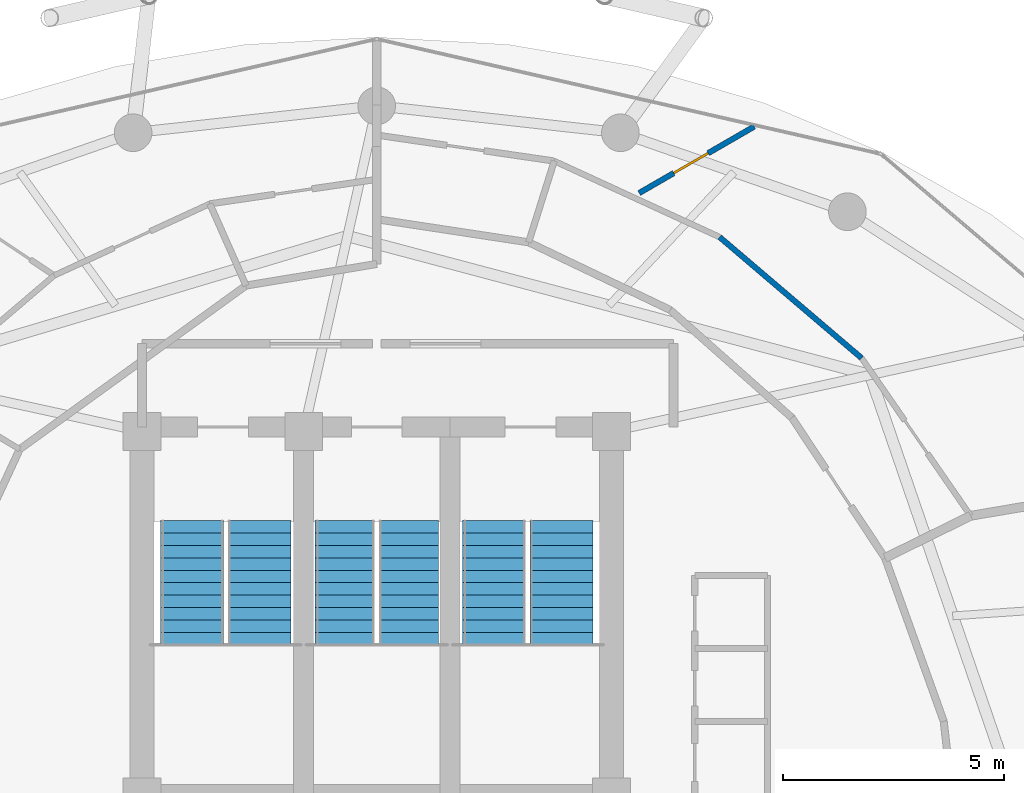
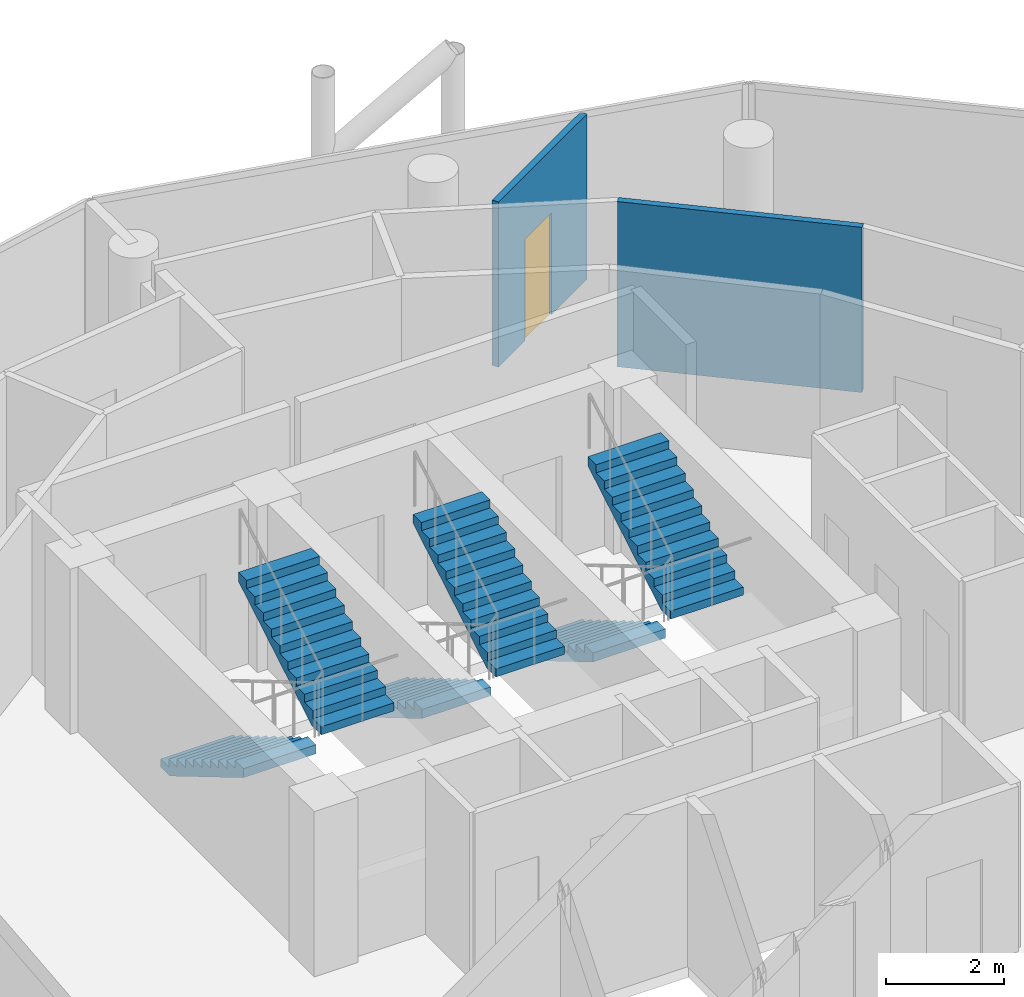
# One storey, part 26 of 27: 6 stair flights, 2 walls, 1 door, 1 opening, 3 elements without a shape of their own.
"""IFC4 building model written with IfcOpenShell, lengths in metres."""

from ifc_helpers import new_model, si_unit, direction, frame, frame_2d, origin, place, context, subcontext, project, spatial, polyline, rectangle, outline, extrude, material, layer, layer_set, type_object, element, fill, aggregate, save


model = new_model("IFC4")

# Units and contexts
model_context = context("Model", 3, precision=1e-05, world=origin(), true_north=direction((0.0, 1.0)))
body_context = subcontext(model_context, "Body", "Model", "MODEL_VIEW")
ifc_project = project(units=[si_unit("LENGTHUNIT", "METRE"), si_unit("AREAUNIT", "SQUARE_METRE"), si_unit("VOLUMEUNIT", "CUBIC_METRE"), si_unit("PLANEANGLEUNIT", "RADIAN"), si_unit("MASSUNIT", "GRAM", prefix="KILO")], contexts=[model_context])

# Site, building, storey
site_placement = place(None, origin())
site = spatial("IfcSite", under=ifc_project, at=site_placement, CompositionType="ELEMENT")
building_placement = place(site_placement, origin())
building = spatial("IfcBuilding", under=site, at=building_placement, Name="Nuhasar Tower", CompositionType="ELEMENT")
storey_placement = place(building_placement, frame((0.0, 0.0, 233.699951171875)))
storey = spatial("IfcBuildingStorey", under=building, at=storey_placement, Name="L57", CompositionType="ELEMENT", Elevation=233.699951171875)

# Wall
ifc_material_1 = material(Name="Gypsum Board", Category="gypsum")
ifc_layer = layer(ifc_material_1, 0.125)
ifc_layer_set = layer_set([ifc_layer], Name="Gypsum Board")
wall_type = type_object("IfcWallType", Name="WL-PART-125", PredefinedType="PARTITIONING", material=ifc_layer_set)
wall_1_placement = place(storey_placement, frame((49.946044921875, 38.955078125, 0.0), z_axis=(0.0, 0.0, 1.0), x_axis=(-0.761143609707, 0.648583383538, 0.0)))
element("IfcWall", 1, at=wall_1_placement, inside=storey, type_object=wall_type, Name="L57 Interior Partition UMID-03-A-06", PredefinedType="PARTITIONING", context=body_context, shape_type="SweptSolid", body=[
    extrude(rectangle(XDim=4.212158203125, YDim=0.125, at=frame_2d((2.10595703125, 0.0))), origin(), (0.0, 0.0, 1.0), 3.41015625),
])

# Wall, opening, door
wall_2_placement = place(storey_placement, frame((44.924072265625, 42.680908203125, 0.0), z_axis=(0.0, 0.0, 1.0), x_axis=(0.865693518227, 0.500574402561, 0.0)))
wall_2 = element("IfcWall", 2, at=wall_2_placement, inside=storey, type_object=wall_type, Name="L57 Interior Partition UOUT-03-B1", PredefinedType="PARTITIONING", context=body_context, shape_type="SweptSolid", body=[
    extrude(rectangle(XDim=3.0009765625, YDim=0.125, at=frame_2d((1.50048828125, 0.0))), origin(), (0.0, 0.0, 1.0), 3.41015625),
])
opening_placement = place(wall_2_placement, frame((0.89990234375, 0.0, 0.0)))
opening = element("IfcOpeningElement", 3, at=opening_placement, cuts=wall_2, Name="Opening DR-01", PredefinedType="OPENING", context=body_context, shape_type="SweptSolid", body=[
    extrude(rectangle(XDim=0.89990234375, YDim=2.10009765625, at=frame_2d((0.449951171875, 1.050048828125))), frame((0.0, 0.072509765625, 0.0), z_axis=(0.0, -1.0, 0.0), x_axis=(1.0, 0.0, 0.0)), (0.0, 0.0, 1.0), 0.14501953125),
])
ifc_material_2 = material(Name="Timber Oak", Category="wood")
door_type = type_object("IfcDoorType", Name="DR-ROOM-900", OperationType="NOTDEFINED", PredefinedType="DOOR", material=ifc_material_2)
door_placement = place(opening_placement, origin())
door = element("IfcDoor", 4, at=door_placement, inside=storey, type_object=door_type, Name="L57 U03 Bedroom Door", OperationType="SINGLE_SWING_LEFT", OverallHeight=2.10009765625, OverallWidth=0.89990234375, PredefinedType="DOOR", context=body_context, shape_type="SweptSolid", body=[
    extrude(rectangle(XDim=0.89990234375, YDim=2.10009765625, at=frame_2d((0.449951171875, 1.050048828125))), frame((0.0, 0.02490234375, 0.0), z_axis=(0.0, -1.0, 0.0), x_axis=(1.0, 0.0, 0.0)), (0.0, 0.0, 1.0), 0.050048828125),
])
fill(opening, door)

# Stair, stair flights
ifc_material_3 = material(Name="Concrete C45/55", Category="concrete")
stair_type_1 = type_object("IfcStairType", Name="STR-ST-01-2F-22R-1659", PredefinedType="HALF_TURN_STAIR", material=ifc_material_3)
stair_1_placement = place(storey_placement, origin())
stair_1 = element("IfcStair", 5, at=stair_1_placement, inside=storey, type_object=stair_type_1, Name="L57 Exit Stair ST-01", PredefinedType="HALF_TURN_STAIR")
stair_flight_type_1 = type_object("IfcStairFlightType", Name="SFL-ST-01-11R-1659", PredefinedType="STRAIGHT", material=ifc_material_3)
stair_flight_1_placement = place(storey_placement, frame((34.830078125, 35.284912109375, 0.0), z_axis=(0.0, 0.0, 1.0), x_axis=(0.0, -1.0, 0.0)))
stair_flight_1 = element("IfcStairFlight", 6, at=stair_flight_1_placement, type_object=stair_flight_type_1, Name="ST-01 flight 1", NumberOfRisers=11, NumberOfTreads=10, PredefinedType="STRAIGHT", RiserHeight=0.165909, TreadLength=0.28, context=body_context, shape_type="SweptSolid", body=[
    extrude(outline(polyline([(0.0, 0.0), (0.0, 0.166015625), (0.280029296875, 0.166015625), (0.280029296875, 0.331787109375), (0.56005859375, 0.331787109375), (0.56005859375, 0.497802734375), (0.840087890625, 0.497802734375), (0.840087890625, 0.66357421875), (1.1201171875, 0.66357421875), (1.1201171875, 0.82958984375), (1.39990234375, 0.82958984375), (1.39990234375, 0.995361328125), (1.679931640625, 0.995361328125), (1.679931640625, 1.161376953125), (1.9599609375, 1.161376953125), (1.9599609375, 1.327392578125), (2.239990234375, 1.327392578125), (2.239990234375, 1.4931640625), (2.52001953125, 1.4931640625), (2.52001953125, 1.6591796875), (2.800048828125, 1.6591796875), (2.800048828125, 1.824951171875), (2.800048828125, 1.47314453125), (0.313720703125, 0.0), (0.0, 0.0)])), frame((0.0, 0.7099609375, 0.0), z_axis=(0.0, -1.0, 0.0), x_axis=(1.0, 0.0, 0.0)), (0.0, 0.0, 1.0), 1.419921875),
])
stair_flight_2_placement = place(storey_placement, frame((36.35009765625, 32.485107421875, 1.824951171875), z_axis=(0.0, 0.0, 1.0), x_axis=(0.0, 1.0, 0.0)))
stair_flight_2 = element("IfcStairFlight", 7, at=stair_flight_2_placement, type_object=stair_flight_type_1, Name="ST-01 flight 2", NumberOfRisers=11, NumberOfTreads=10, PredefinedType="STRAIGHT", RiserHeight=0.165909, TreadLength=0.28, context=body_context, shape_type="SweptSolid", body=[
    extrude(outline(polyline([(0.0, 0.0), (0.0, 0.166015625), (0.280029296875, 0.166015625), (0.280029296875, 0.331787109375), (0.56005859375, 0.331787109375), (0.56005859375, 0.497802734375), (0.840087890625, 0.497802734375), (0.840087890625, 0.66357421875), (1.1201171875, 0.66357421875), (1.1201171875, 0.82958984375), (1.39990234375, 0.82958984375), (1.39990234375, 0.995361328125), (1.679931640625, 0.995361328125), (1.679931640625, 1.161376953125), (1.9599609375, 1.161376953125), (1.9599609375, 1.327392578125), (2.239990234375, 1.327392578125), (2.239990234375, 1.4931640625), (2.52001953125, 1.4931640625), (2.52001953125, 1.6591796875), (2.800048828125, 1.6591796875), (2.800048828125, 1.824951171875), (2.800048828125, 1.47314453125), (0.313720703125, 0.0), (0.0, 0.0)])), frame((0.0, 0.7099609375, 0.0), z_axis=(0.0, -1.0, 0.0), x_axis=(1.0, 0.0, 0.0)), (0.0, 0.0, 1.0), 1.419921875),
])
aggregate(stair_1, [stair_flight_1, stair_flight_2])

stair_type_2 = type_object("IfcStairType", Name="STR-ST-02-2F-22R-1659", PredefinedType="HALF_TURN_STAIR", material=ifc_material_3)
stair_2_placement = place(storey_placement, origin())
stair_2 = element("IfcStair", 8, at=stair_2_placement, inside=storey, type_object=stair_type_2, Name="L57 Exit Stair ST-02", PredefinedType="HALF_TURN_STAIR")
stair_flight_type_2 = type_object("IfcStairFlightType", Name="SFL-ST-02-11R-1659", PredefinedType="STRAIGHT", material=ifc_material_3)
stair_flight_3_placement = place(storey_placement, frame((41.64990234375, 35.284912109375, 0.0), z_axis=(0.0, 0.0, 1.0), x_axis=(0.0, -1.0, 0.0)))
stair_flight_3 = element("IfcStairFlight", 9, at=stair_flight_3_placement, type_object=stair_flight_type_2, Name="ST-02 flight 1", NumberOfRisers=11, NumberOfTreads=10, PredefinedType="STRAIGHT", RiserHeight=0.165909, TreadLength=0.28, context=body_context, shape_type="SweptSolid", body=[
    extrude(outline(polyline([(0.0, 0.0), (0.0, 0.166015625), (0.280029296875, 0.166015625), (0.280029296875, 0.331787109375), (0.56005859375, 0.331787109375), (0.56005859375, 0.497802734375), (0.840087890625, 0.497802734375), (0.840087890625, 0.66357421875), (1.1201171875, 0.66357421875), (1.1201171875, 0.82958984375), (1.39990234375, 0.82958984375), (1.39990234375, 0.995361328125), (1.679931640625, 0.995361328125), (1.679931640625, 1.161376953125), (1.9599609375, 1.161376953125), (1.9599609375, 1.327392578125), (2.239990234375, 1.327392578125), (2.239990234375, 1.4931640625), (2.52001953125, 1.4931640625), (2.52001953125, 1.6591796875), (2.800048828125, 1.6591796875), (2.800048828125, 1.824951171875), (2.800048828125, 1.47314453125), (0.313720703125, 0.0), (0.0, 0.0)])), frame((0.0, 0.7099609375, 0.0), z_axis=(0.0, -1.0, 0.0), x_axis=(1.0, 0.0, 0.0)), (0.0, 0.0, 1.0), 1.419921875),
])
stair_flight_4_placement = place(storey_placement, frame((43.169921875, 32.485107421875, 1.824951171875), z_axis=(0.0, 0.0, 1.0), x_axis=(0.0, 1.0, 0.0)))
stair_flight_4 = element("IfcStairFlight", 10, at=stair_flight_4_placement, type_object=stair_flight_type_2, Name="ST-02 flight 2", NumberOfRisers=11, NumberOfTreads=10, PredefinedType="STRAIGHT", RiserHeight=0.165909, TreadLength=0.28, context=body_context, shape_type="SweptSolid", body=[
    extrude(outline(polyline([(0.0, 0.0), (0.0, 0.166015625), (0.280029296875, 0.166015625), (0.280029296875, 0.331787109375), (0.56005859375, 0.331787109375), (0.56005859375, 0.497802734375), (0.840087890625, 0.497802734375), (0.840087890625, 0.66357421875), (1.1201171875, 0.66357421875), (1.1201171875, 0.82958984375), (1.39990234375, 0.82958984375), (1.39990234375, 0.995361328125), (1.679931640625, 0.995361328125), (1.679931640625, 1.161376953125), (1.9599609375, 1.161376953125), (1.9599609375, 1.327392578125), (2.239990234375, 1.327392578125), (2.239990234375, 1.4931640625), (2.52001953125, 1.4931640625), (2.52001953125, 1.6591796875), (2.800048828125, 1.6591796875), (2.800048828125, 1.824951171875), (2.800048828125, 1.47314453125), (0.313720703125, 0.0), (0.0, 0.0)])), frame((0.0, 0.7099609375, 0.0), z_axis=(0.0, -1.0, 0.0), x_axis=(1.0, 0.0, 0.0)), (0.0, 0.0, 1.0), 1.419921875),
])
aggregate(stair_2, [stair_flight_3, stair_flight_4])

stair_type_3 = type_object("IfcStairType", Name="STR-ST-03-2F-22R-1659", PredefinedType="HALF_TURN_STAIR", material=ifc_material_3)
stair_3_placement = place(storey_placement, origin())
stair_3 = element("IfcStair", 11, at=stair_3_placement, inside=storey, type_object=stair_type_3, Name="L57 Exit Stair ST-03", PredefinedType="HALF_TURN_STAIR")
stair_flight_type_3 = type_object("IfcStairFlightType", Name="SFL-ST-03-11R-1659", PredefinedType="STRAIGHT", material=ifc_material_3)
stair_flight_5_placement = place(storey_placement, frame((38.280029296875, 35.284912109375, 0.0), z_axis=(0.0, 0.0, 1.0), x_axis=(0.0, -1.0, 0.0)))
stair_flight_5 = element("IfcStairFlight", 12, at=stair_flight_5_placement, type_object=stair_flight_type_3, Name="ST-03 flight 1", NumberOfRisers=11, NumberOfTreads=10, PredefinedType="STRAIGHT", RiserHeight=0.165909, TreadLength=0.28, context=body_context, shape_type="SweptSolid", body=[
    extrude(outline(polyline([(0.0, 0.0), (0.0, 0.166015625), (0.280029296875, 0.166015625), (0.280029296875, 0.331787109375), (0.56005859375, 0.331787109375), (0.56005859375, 0.497802734375), (0.840087890625, 0.497802734375), (0.840087890625, 0.66357421875), (1.1201171875, 0.66357421875), (1.1201171875, 0.82958984375), (1.39990234375, 0.82958984375), (1.39990234375, 0.995361328125), (1.679931640625, 0.995361328125), (1.679931640625, 1.161376953125), (1.9599609375, 1.161376953125), (1.9599609375, 1.327392578125), (2.239990234375, 1.327392578125), (2.239990234375, 1.4931640625), (2.52001953125, 1.4931640625), (2.52001953125, 1.6591796875), (2.800048828125, 1.6591796875), (2.800048828125, 1.824951171875), (2.800048828125, 1.47314453125), (0.313720703125, 0.0), (0.0, 0.0)])), frame((0.0, 0.669921875, 0.0), z_axis=(0.0, -1.0, 0.0), x_axis=(1.0, 0.0, 0.0)), (0.0, 0.0, 1.0), 1.340087890625),
])
stair_flight_6_placement = place(storey_placement, frame((39.719970703125, 32.485107421875, 1.824951171875), z_axis=(0.0, 0.0, 1.0), x_axis=(0.0, 1.0, 0.0)))
stair_flight_6 = element("IfcStairFlight", 13, at=stair_flight_6_placement, type_object=stair_flight_type_3, Name="ST-03 flight 2", NumberOfRisers=11, NumberOfTreads=10, PredefinedType="STRAIGHT", RiserHeight=0.165909, TreadLength=0.28, context=body_context, shape_type="SweptSolid", body=[
    extrude(outline(polyline([(0.0, 0.0), (0.0, 0.166015625), (0.280029296875, 0.166015625), (0.280029296875, 0.331787109375), (0.56005859375, 0.331787109375), (0.56005859375, 0.497802734375), (0.840087890625, 0.497802734375), (0.840087890625, 0.66357421875), (1.1201171875, 0.66357421875), (1.1201171875, 0.82958984375), (1.39990234375, 0.82958984375), (1.39990234375, 0.995361328125), (1.679931640625, 0.995361328125), (1.679931640625, 1.161376953125), (1.9599609375, 1.161376953125), (1.9599609375, 1.327392578125), (2.239990234375, 1.327392578125), (2.239990234375, 1.4931640625), (2.52001953125, 1.4931640625), (2.52001953125, 1.6591796875), (2.800048828125, 1.6591796875), (2.800048828125, 1.824951171875), (2.800048828125, 1.47314453125), (0.313720703125, 0.0), (0.0, 0.0)])), frame((0.0, 0.669921875, 0.0), z_axis=(0.0, -1.0, 0.0), x_axis=(1.0, 0.0, 0.0)), (0.0, 0.0, 1.0), 1.340087890625),
])
aggregate(stair_3, [stair_flight_5, stair_flight_6])

save(model, "model.ifc")
